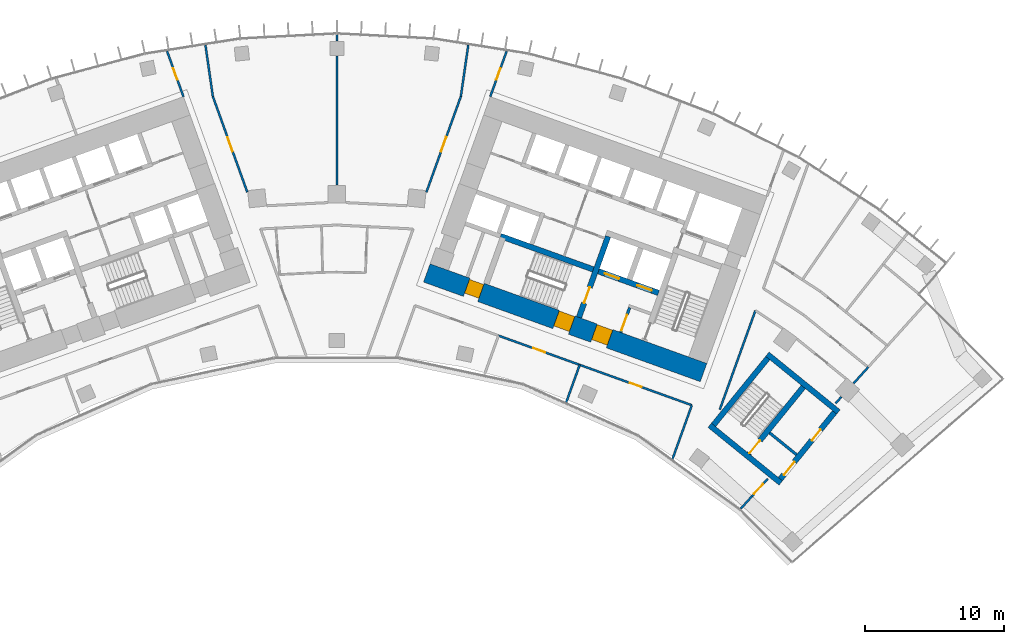
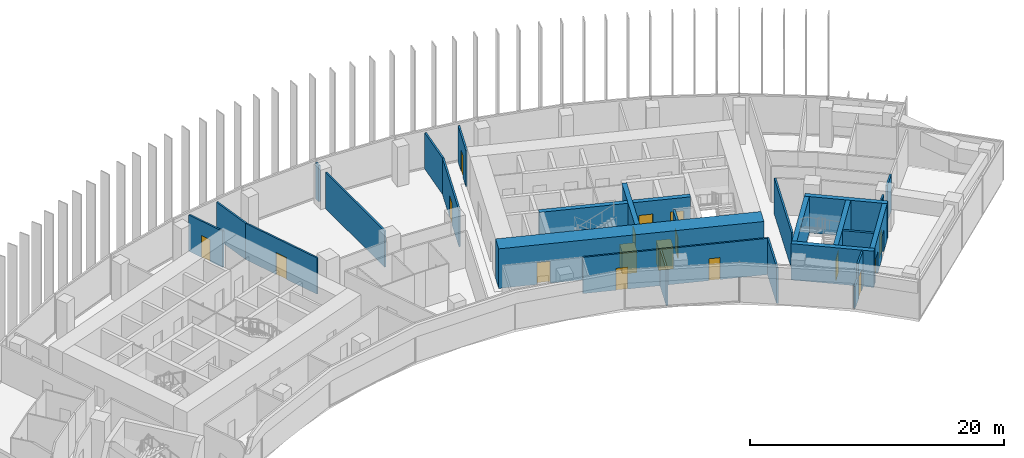
# One storey, part 18 of 23: 27 walls, 17 doors, 17 openings.
"""IFC4 building model written with IfcOpenShell, lengths in metres."""

from ifc_helpers import new_model, si_unit, direction, frame, frame_2d, origin, place, context, subcontext, project, spatial, rectangle, extrude, material, layer, layer_set, type_object, element, fill, save


model = new_model("IFC4")

# Units and contexts
model_context = context("Model", 3, precision=1e-05, world=origin(), true_north=direction((0.0, 1.0)))
body_context = subcontext(model_context, "Body", "Model", "MODEL_VIEW")
ifc_project = project(units=[si_unit("LENGTHUNIT", "METRE"), si_unit("AREAUNIT", "SQUARE_METRE"), si_unit("VOLUMEUNIT", "CUBIC_METRE"), si_unit("PLANEANGLEUNIT", "RADIAN"), si_unit("MASSUNIT", "GRAM", prefix="KILO")], contexts=[model_context])

# Site, building, storey
site_placement = place(None, origin())
site = spatial("IfcSite", under=ifc_project, at=site_placement, CompositionType="ELEMENT")
building_placement = place(site_placement, origin())
building = spatial("IfcBuilding", under=site, at=building_placement, Name="Stone Belt Terrace Tower", CompositionType="ELEMENT")
storey_placement = place(building_placement, frame((0.0, 0.0, 178.199951171875)))
storey = spatial("IfcBuildingStorey", under=building, at=storey_placement, Name="L43", CompositionType="ELEMENT", Elevation=178.199951171875)

# Wall, openings, doors
ifc_material_1 = material(Name="Concrete B80", Category="concrete")
ifc_layer_1 = layer(ifc_material_1, 1.39990234375)
ifc_layer_set_1 = layer_set([ifc_layer_1], Name="Core wall 1400 B80")
wall_type_1 = type_object("IfcWallType", Name="Core wall 1400 B80", PredefinedType="SHEAR", material=ifc_layer_set_1)
wall_1_placement = place(storey_placement, frame((6.4833984375, 49.318115234375, 0.0), z_axis=(0.0, 0.0, 1.0), x_axis=(0.940923374003, -0.33861955681, 0.0)))
wall_1 = element("IfcWall", 1, at=wall_1_placement, inside=storey, type_object=wall_type_1, Name="Core B wall concave L43", PredefinedType="SHEAR", context=body_context, shape_type="SweptSolid", body=[
    extrude(rectangle(XDim=21.199951171875, YDim=1.39990234375, at=frame_2d((10.60009765625, 0.0))), origin(), (0.0, 0.0, 1.0), 3.800048828125),
])
opening_1_placement = place(wall_1_placement, frame((12.800048828125, 0.0, 0.0)))
opening_1 = element("IfcOpeningElement", 2, at=opening_1_placement, cuts=wall_1, Name="Opening L43-C24", PredefinedType="OPENING", context=body_context, shape_type="SweptSolid", body=[
    extrude(rectangle(XDim=1.199951171875, YDim=2.10009765625, at=frame_2d((0.60009765625, 1.050048828125))), frame((0.0, 0.7099609375, 0.0), z_axis=(0.0, -1.0, 0.0), x_axis=(1.0, 0.0, 0.0)), (0.0, 0.0, 1.0), 1.419921875),
])
opening_2_placement = place(wall_1_placement, frame((9.89990234375, 0.0, 0.0)))
opening_2 = element("IfcOpeningElement", 3, at=opening_2_placement, cuts=wall_1, Name="Opening L43-C26", PredefinedType="OPENING", context=body_context, shape_type="SweptSolid", body=[
    extrude(rectangle(XDim=1.199951171875, YDim=2.10009765625, at=frame_2d((0.60009765625, 1.050048828125))), frame((0.0, 0.7099609375, 0.0), z_axis=(0.0, -1.0, 0.0), x_axis=(1.0, 0.0, 0.0)), (0.0, 0.0, 1.0), 1.419921875),
])
opening_3_placement = place(wall_1_placement, frame((3.050048828125, 0.0, 0.0)))
opening_3 = element("IfcOpeningElement", 4, at=opening_3_placement, cuts=wall_1, Name="Opening L43-C28", PredefinedType="OPENING", context=body_context, shape_type="SweptSolid", body=[
    extrude(rectangle(XDim=1.10009765625, YDim=2.10009765625, at=frame_2d((0.550048828125, 1.050048828125))), frame((0.0, 0.7099609375, 0.0), z_axis=(0.0, -1.0, 0.0), x_axis=(1.0, 0.0, 0.0)), (0.0, 0.0, 1.0), 1.419921875),
])
ifc_material_2 = material(Name="Timber door leaf", Category="wood")
door_type_1 = type_object("IfcDoorType", Name="Core room door 1100", OperationType="SINGLE_SWING_LEFT", PredefinedType="DOOR", material=ifc_material_2)
door_1_placement = place(opening_3_placement, origin())
door_1 = element("IfcDoor", 5, at=door_1_placement, inside=storey, type_object=door_type_1, Name="Door to Communications riser room core B", OperationType="SINGLE_SWING_LEFT", OverallHeight=2.10009765625, OverallWidth=1.10009765625, PredefinedType="DOOR", context=body_context, shape_type="SweptSolid", body=[
    extrude(rectangle(XDim=1.10009765625, YDim=2.10009765625, at=frame_2d((0.550048828125, 1.050048828125))), frame((0.0, 0.60498046875, 0.0), z_axis=(0.0, -1.0, 0.0), x_axis=(1.0, 0.0, 0.0)), (0.0, 0.0, 1.0), 1.050048828125),
])
fill(opening_3, door_1)
ifc_material_3 = material(Name="Steel door leaf", Category="steel")
door_type_2 = type_object("IfcDoorType", Name="Fire-fighting lobby door 1200", OperationType="SINGLE_SWING_LEFT", PredefinedType="DOOR", material=ifc_material_3)
door_2_placement = place(opening_1_placement, origin())
door_2 = element("IfcDoor", 6, at=door_2_placement, inside=storey, type_object=door_type_2, Name="Fire-fighting lobby door core B", OperationType="SINGLE_SWING_LEFT", OverallHeight=2.10009765625, OverallWidth=1.199951171875, PredefinedType="DOOR", context=body_context, shape_type="SweptSolid", body=[
    extrude(rectangle(XDim=1.199951171875, YDim=2.10009765625, at=frame_2d((0.60009765625, 1.050048828125))), frame((0.0, 0.655029296875, 0.0), z_axis=(0.0, -1.0, 0.0), x_axis=(1.0, 0.0, 0.0)), (0.0, 0.0, 1.0), 1.14990234375),
])
fill(opening_1, door_2)
door_type_3 = type_object("IfcDoorType", Name="Stair door 1200", OperationType="SINGLE_SWING_LEFT", PredefinedType="DOOR", material=ifc_material_3)
door_3_placement = place(opening_2_placement, origin())
door_3 = element("IfcDoor", 7, at=door_3_placement, inside=storey, type_object=door_type_3, Name="Stair 2 exit door core B", OperationType="SINGLE_SWING_RIGHT", OverallHeight=2.10009765625, OverallWidth=1.199951171875, PredefinedType="DOOR", context=body_context, shape_type="SweptSolid", body=[
    extrude(rectangle(XDim=1.199951171875, YDim=2.10009765625, at=frame_2d((0.60009765625, 1.050048828125))), frame((0.0, 0.655029296875, 0.0), z_axis=(0.0, -1.0, 0.0), x_axis=(1.0, 0.0, 0.0)), (0.0, 0.0, 1.0), 1.14990234375),
])
fill(opening_2, door_3)

# Wall, opening, door
ifc_material_4 = material(Name="Gypsum board partition")
ifc_layer_2 = layer(ifc_material_4, 0.14990234375)
ifc_layer_set_2 = layer_set([ifc_layer_2], Name="PARTITION 150 EI 60")
wall_type_2 = type_object("IfcWallType", Name="PARTITION 150 EI 60", PredefinedType="PARTITIONING", material=ifc_layer_set_2)
wall_2_placement = place(storey_placement, frame((-11.054931640625, 62.02099609375, 0.0), z_axis=(0.0, 0.0, 1.0), x_axis=(-0.338942963923, 0.940806923448, 0.0)))
wall_2 = element("IfcWall", 8, at=wall_2_placement, inside=storey, type_object=wall_type_2, Name="L43/wall/i007", PredefinedType="PARTITIONING", context=body_context, shape_type="SweptSolid", body=[
    extrude(rectangle(XDim=3.481201171875, YDim=0.14990234375, at=frame_2d((1.74072265625, 0.0))), origin(), (0.0, 0.0, 1.0), 3.47998046875),
])
opening_4_placement = place(wall_2_placement, frame((1.29052734375, 0.0, 0.0)))
opening_4 = element("IfcOpeningElement", 9, at=opening_4_placement, cuts=wall_2, Name="Opening D-C4-05", PredefinedType="OPENING", context=body_context, shape_type="SweptSolid", body=[
    extrude(rectangle(XDim=0.89990234375, YDim=2.10009765625, at=frame_2d((0.449951171875, 1.050048828125))), frame((0.0, 0.0849609375, 0.0), z_axis=(0.0, -1.0, 0.0), x_axis=(1.0, 0.0, 0.0)), (0.0, 0.0, 1.0), 0.169921875),
])
door_type_4 = type_object("IfcDoorType", Name="OFFICE DOOR 900 X 2100", OperationType="NOTDEFINED", PredefinedType="DOOR", material=ifc_material_2)
door_4_placement = place(opening_4_placement, origin())
door_4 = element("IfcDoor", 10, at=door_4_placement, inside=storey, type_object=door_type_4, Name="L43/door/i05", OperationType="SINGLE_SWING_RIGHT", OverallHeight=2.10009765625, OverallWidth=0.89990234375, PredefinedType="DOOR", context=body_context, shape_type="SweptSolid", body=[
    extrude(rectangle(XDim=0.89990234375, YDim=2.10009765625, at=frame_2d((0.449951171875, 1.050048828125))), frame((0.0, 0.02490234375, 0.0), z_axis=(0.0, -1.0, 0.0), x_axis=(1.0, 0.0, 0.0)), (0.0, 0.0, 1.0), 0.050048828125),
])
fill(opening_4, door_4)

# Wall
wall_3_placement = place(storey_placement, frame((-9.47021484375, 65.736083984375, 0.0), z_axis=(0.0, 0.0, 1.0), x_axis=(0.14267653425, -0.989769370396, 0.0)))
element("IfcWall", 11, at=wall_3_placement, inside=storey, type_object=wall_type_2, Name="L43/wall/i009", PredefinedType="PARTITIONING", context=body_context, shape_type="SweptSolid", body=[
    extrude(rectangle(XDim=3.730224609375, YDim=0.14990234375, at=frame_2d((1.865234375, 0.0))), origin(), (0.0, 0.0, 1.0), 3.47998046875),
])

# Wall, opening, door
wall_4_placement = place(storey_placement, frame((-8.93798828125, 62.04296875, 0.0), z_axis=(0.0, 0.0, 1.0), x_axis=(0.338603971116, -0.940928982838, 0.0)))
wall_4 = element("IfcWall", 12, at=wall_4_placement, inside=storey, type_object=wall_type_2, Name="L43/wall/i010", PredefinedType="PARTITIONING", context=body_context, shape_type="SweptSolid", body=[
    extrude(rectangle(XDim=7.335693359375, YDim=0.14990234375, at=frame_2d((3.66796875, 0.0))), origin(), (0.0, 0.0, 1.0), 3.47998046875),
])
opening_5_placement = place(wall_4_placement, frame((3.117919921875, 0.0, 0.0)))
opening_5 = element("IfcOpeningElement", 13, at=opening_5_placement, cuts=wall_4, Name="Opening D-C4-27", PredefinedType="OPENING", context=body_context, shape_type="SweptSolid", body=[
    extrude(rectangle(XDim=1.10009765625, YDim=2.10009765625, at=frame_2d((0.550048828125, 1.050048828125))), frame((0.0, 0.0849609375, 0.0), z_axis=(0.0, -1.0, 0.0), x_axis=(1.0, 0.0, 0.0)), (0.0, 0.0, 1.0), 0.169921875),
])
ifc_material_5 = material(Name="Steel fire door set", Category="steel")
door_type_5 = type_object("IfcDoorType", Name="SERVICE ROOM DOOR 1100 X 2100", OperationType="NOTDEFINED", PredefinedType="DOOR", material=ifc_material_5)
door_5_placement = place(opening_5_placement, origin())
door_5 = element("IfcDoor", 14, at=door_5_placement, inside=storey, type_object=door_type_5, Name="L43/door/i27", OperationType="SINGLE_SWING_RIGHT", OverallHeight=2.10009765625, OverallWidth=1.10009765625, PredefinedType="DOOR", context=body_context, shape_type="SweptSolid", body=[
    extrude(rectangle(XDim=1.10009765625, YDim=2.10009765625, at=frame_2d((0.550048828125, 1.050048828125))), frame((0.0, 0.02490234375, 0.0), z_axis=(0.0, -1.0, 0.0), x_axis=(1.0, 0.0, 0.0)), (0.0, 0.0, 1.0), 0.050048828125),
])
fill(opening_5, door_5)

wall_5_placement = place(storey_placement, frame((12.23486328125, 65.296142578125, 0.0), z_axis=(0.0, 0.0, 1.0), x_axis=(-0.338942963923, -0.940806923448, 0.0)))
wall_5 = element("IfcWall", 15, at=wall_5_placement, inside=storey, type_object=wall_type_2, Name="L43/wall/i019", PredefinedType="PARTITIONING", context=body_context, shape_type="SweptSolid", body=[
    extrude(rectangle(XDim=3.481201171875, YDim=0.14990234375, at=frame_2d((1.74072265625, 0.0))), origin(), (0.0, 0.0, 1.0), 3.47998046875),
])
opening_6_placement = place(wall_5_placement, frame((1.29052734375, 0.0, 0.0)))
opening_6 = element("IfcOpeningElement", 16, at=opening_6_placement, cuts=wall_5, Name="Opening D-C4-09", PredefinedType="OPENING", context=body_context, shape_type="SweptSolid", body=[
    extrude(rectangle(XDim=0.89990234375, YDim=2.10009765625, at=frame_2d((0.449951171875, 1.050048828125))), frame((0.0, 0.0849609375, 0.0), z_axis=(0.0, -1.0, 0.0), x_axis=(1.0, 0.0, 0.0)), (0.0, 0.0, 1.0), 0.169921875),
])
door_6_placement = place(opening_6_placement, origin())
door_6 = element("IfcDoor", 17, at=door_6_placement, inside=storey, type_object=door_type_4, Name="L43/door/i09", OperationType="SINGLE_SWING_RIGHT", OverallHeight=2.10009765625, OverallWidth=0.89990234375, PredefinedType="DOOR", context=body_context, shape_type="SweptSolid", body=[
    extrude(rectangle(XDim=0.89990234375, YDim=2.10009765625, at=frame_2d((0.449951171875, 1.050048828125))), frame((0.0, 0.02490234375, 0.0), z_axis=(0.0, -1.0, 0.0), x_axis=(1.0, 0.0, 0.0)), (0.0, 0.0, 1.0), 0.050048828125),
])
fill(opening_6, door_6)

wall_6_placement = place(storey_placement, frame((6.4541015625, 55.140625, 0.0), z_axis=(0.0, 0.0, 1.0), x_axis=(0.338603971116, 0.940928982838, 0.0)))
wall_6 = element("IfcWall", 18, at=wall_6_placement, inside=storey, type_object=wall_type_2, Name="L43/wall/i021", PredefinedType="PARTITIONING", context=body_context, shape_type="SweptSolid", body=[
    extrude(rectangle(XDim=7.335693359375, YDim=0.14990234375, at=frame_2d((3.66796875, 0.0))), origin(), (0.0, 0.0, 1.0), 3.47998046875),
])
opening_7_placement = place(wall_6_placement, frame((3.117919921875, 0.0, 0.0)))
opening_7 = element("IfcOpeningElement", 19, at=opening_7_placement, cuts=wall_6, Name="Opening D-C4-28", PredefinedType="OPENING", context=body_context, shape_type="SweptSolid", body=[
    extrude(rectangle(XDim=1.10009765625, YDim=2.10009765625, at=frame_2d((0.550048828125, 1.050048828125))), frame((0.0, 0.0849609375, 0.0), z_axis=(0.0, -1.0, 0.0), x_axis=(1.0, 0.0, 0.0)), (0.0, 0.0, 1.0), 0.169921875),
])
door_7_placement = place(opening_7_placement, origin())
door_7 = element("IfcDoor", 20, at=door_7_placement, inside=storey, type_object=door_type_5, Name="L43/door/i28", OperationType="SINGLE_SWING_RIGHT", OverallHeight=2.10009765625, OverallWidth=1.10009765625, PredefinedType="DOOR", context=body_context, shape_type="SweptSolid", body=[
    extrude(rectangle(XDim=1.10009765625, YDim=2.10009765625, at=frame_2d((0.550048828125, 1.050048828125))), frame((0.0, 0.02490234375, 0.0), z_axis=(0.0, -1.0, 0.0), x_axis=(1.0, 0.0, 0.0)), (0.0, 0.0, 1.0), 0.050048828125),
])
fill(opening_7, door_7)

# Walls
wall_7_placement = place(storey_placement, frame((8.93798828125, 62.0439453125, 0.0), z_axis=(0.0, 0.0, 1.0), x_axis=(0.14267653425, 0.989769370396, 0.0)))
element("IfcWall", 21, at=wall_7_placement, inside=storey, type_object=wall_type_2, Name="L43/wall/i022", PredefinedType="PARTITIONING", context=body_context, shape_type="SweptSolid", body=[
    extrude(rectangle(XDim=3.730224609375, YDim=0.14990234375, at=frame_2d((1.865234375, 0.0))), origin(), (0.0, 0.0, 1.0), 3.47998046875),
])
wall_8_placement = place(storey_placement, frame((24.18603515625, 35.902099609375, 0.0), z_axis=(0.0, 0.0, 1.0), x_axis=(0.338545933013, 0.940949866486, 0.0)))
element("IfcWall", 22, at=wall_8_placement, inside=storey, type_object=wall_type_2, Name="L43/wall/i023", PredefinedType="PARTITIONING", context=body_context, shape_type="SweptSolid", body=[
    extrude(rectangle(XDim=4.135009765625, YDim=0.14990234375, at=frame_2d((2.0673828125, 0.0))), origin(), (0.0, 0.0, 1.0), 3.47998046875),
])

# Wall, opening, door
wall_9_placement = place(storey_placement, frame((31.054931640625, 34.489990234375, 0.0), z_axis=(0.0, 0.0, 1.0), x_axis=(-0.669115931318, -0.743158038681, 0.0)))
wall_9 = element("IfcWall", 23, at=wall_9_placement, inside=storey, type_object=wall_type_2, Name="L43/wall/i025-1", PredefinedType="PARTITIONING", context=body_context, shape_type="SweptSolid", body=[
    extrude(rectangle(XDim=1.69482421875, YDim=0.14990234375, at=frame_2d((0.847412109375, 0.0))), origin(), (0.0, 0.0, 1.0), 3.47998046875),
])
opening_8_placement = place(wall_9_placement, frame((0.49658203125, 0.0, 0.0)))
opening_8 = element("IfcOpeningElement", 24, at=opening_8_placement, cuts=wall_9, Name="Opening D-C4-18", PredefinedType="OPENING", context=body_context, shape_type="SweptSolid", body=[
    extrude(rectangle(XDim=1.0, YDim=2.10009765625, at=frame_2d((0.5, 1.050048828125))), frame((0.0, 0.0849609375, 0.0), z_axis=(0.0, -1.0, 0.0), x_axis=(1.0, 0.0, 0.0)), (0.0, 0.0, 1.0), 0.169921875),
])
ifc_material_6 = material(Name="Timber fire door leaf", Category="wood")
door_type_6 = type_object("IfcDoorType", Name="TENANCY ENTRANCE DOOR 1000 X 2100", OperationType="NOTDEFINED", PredefinedType="DOOR", material=ifc_material_6)
door_8_placement = place(opening_8_placement, origin())
door_8 = element("IfcDoor", 25, at=door_8_placement, inside=storey, type_object=door_type_6, Name="L43/door/i18", OperationType="SINGLE_SWING_LEFT", OverallHeight=2.10009765625, OverallWidth=1.0, PredefinedType="DOOR", context=body_context, shape_type="SweptSolid", body=[
    extrude(rectangle(XDim=1.0, YDim=2.10009765625, at=frame_2d((0.5, 1.050048828125))), frame((0.0, 0.02490234375, 0.0), z_axis=(0.0, -1.0, 0.0), x_axis=(1.0, 0.0, 0.0)), (0.0, 0.0, 1.0), 0.050048828125),
])
fill(opening_8, door_8)

# Walls
wall_10_placement = place(storey_placement, frame((29.9208984375, 33.23046875, 0.0), z_axis=(0.0, 0.0, 1.0), x_axis=(-0.669097814436, -0.743174350147, 0.0)))
element("IfcWall", 26, at=wall_10_placement, inside=storey, type_object=wall_type_2, Name="L43/wall/i025-2", PredefinedType="PARTITIONING", context=body_context, shape_type="SweptSolid", body=[
    extrude(rectangle(XDim=1.216064453125, YDim=0.14990234375, at=frame_2d((0.60791015625, 0.0))), origin(), (0.0, 0.0, 1.0), 2.080078125),
])
wall_11_placement = place(storey_placement, frame((30.1669921875, 46.612060546875, 0.0), z_axis=(0.0, 0.0, 1.0), x_axis=(-0.338694393991, -0.940896438233, 0.0)))
element("IfcWall", 27, at=wall_11_placement, inside=storey, type_object=wall_type_2, Name="L43/wall/i026", PredefinedType="PARTITIONING", context=body_context, shape_type="SweptSolid", body=[
    extrude(rectangle(XDim=7.585205078125, YDim=0.14990234375, at=frame_2d((3.79248046875, 0.0))), origin(), (0.0, 0.0, 1.0), 3.47998046875),
])

# Wall, opening, door
wall_12_placement = place(storey_placement, frame((17.509033203125, 42.693115234375, 0.0), z_axis=(0.0, 0.0, 1.0), x_axis=(-0.940933831064, 0.33859049833, 0.0)))
wall_12 = element("IfcWall", 28, at=wall_12_placement, inside=storey, type_object=wall_type_2, Name="L43/wall/i030", PredefinedType="PARTITIONING", context=body_context, shape_type="SweptSolid", body=[
    extrude(rectangle(XDim=6.234130859375, YDim=0.14990234375, at=frame_2d((3.1171875, 0.0))), origin(), (0.0, 0.0, 1.0), 3.47998046875),
])
opening_9_placement = place(wall_12_placement, frame((2.667236328125, 0.0, 0.0)))
opening_9 = element("IfcOpeningElement", 29, at=opening_9_placement, cuts=wall_12, Name="Opening D-C4-07", PredefinedType="OPENING", context=body_context, shape_type="SweptSolid", body=[
    extrude(rectangle(XDim=0.89990234375, YDim=2.10009765625, at=frame_2d((0.449951171875, 1.050048828125))), frame((0.0, 0.0849609375, 0.0), z_axis=(0.0, -1.0, 0.0), x_axis=(1.0, 0.0, 0.0)), (0.0, 0.0, 1.0), 0.169921875),
])
door_9_placement = place(opening_9_placement, origin())
door_9 = element("IfcDoor", 30, at=door_9_placement, inside=storey, type_object=door_type_4, Name="L43/door/i07", OperationType="SINGLE_SWING_RIGHT", OverallHeight=2.10009765625, OverallWidth=0.89990234375, PredefinedType="DOOR", context=body_context, shape_type="SweptSolid", body=[
    extrude(rectangle(XDim=0.89990234375, YDim=2.10009765625, at=frame_2d((0.449951171875, 1.050048828125))), frame((0.0, 0.02490234375, 0.0), z_axis=(0.0, -1.0, 0.0), x_axis=(1.0, 0.0, 0.0)), (0.0, 0.0, 1.0), 0.050048828125),
])
fill(opening_9, door_9)

wall_13_placement = place(storey_placement, frame((25.583984375, 39.787109375, 0.0), z_axis=(0.0, 0.0, 1.0), x_axis=(-0.940938460539, 0.338577632869, 0.0)))
wall_13 = element("IfcWall", 31, at=wall_13_placement, inside=storey, type_object=wall_type_2, Name="L43/wall/i031", PredefinedType="PARTITIONING", context=body_context, shape_type="SweptSolid", body=[
    extrude(rectangle(XDim=8.594482421875, YDim=0.14990234375, at=frame_2d((4.29736328125, 0.0))), origin(), (0.0, 0.0, 1.0), 3.47998046875),
])
opening_10_placement = place(wall_13_placement, frame((3.847412109375, 0.0, 0.0)))
opening_10 = element("IfcOpeningElement", 32, at=opening_10_placement, cuts=wall_13, Name="Opening D-C4-08", PredefinedType="OPENING", context=body_context, shape_type="SweptSolid", body=[
    extrude(rectangle(XDim=0.89990234375, YDim=2.10009765625, at=frame_2d((0.449951171875, 1.050048828125))), frame((0.0, 0.0849609375, 0.0), z_axis=(0.0, -1.0, 0.0), x_axis=(1.0, 0.0, 0.0)), (0.0, 0.0, 1.0), 0.169921875),
])
door_10_placement = place(opening_10_placement, origin())
door_10 = element("IfcDoor", 33, at=door_10_placement, inside=storey, type_object=door_type_4, Name="L43/door/i08", OperationType="SINGLE_SWING_LEFT", OverallHeight=2.10009765625, OverallWidth=0.89990234375, PredefinedType="DOOR", context=body_context, shape_type="SweptSolid", body=[
    extrude(rectangle(XDim=0.89990234375, YDim=2.10009765625, at=frame_2d((0.449951171875, 1.050048828125))), frame((0.0, 0.02490234375, 0.0), z_axis=(0.0, -1.0, 0.0), x_axis=(1.0, 0.0, 0.0)), (0.0, 0.0, 1.0), 0.050048828125),
])
fill(opening_10, door_10)

# Walls
wall_14_placement = place(storey_placement, frame((17.5029296875, 42.695068359375, 0.0), z_axis=(0.0, 0.0, 1.0), x_axis=(-0.338680295098, -0.940901513291, 0.0)))
element("IfcWall", 34, at=wall_14_placement, inside=storey, type_object=wall_type_2, Name="L43/wall/i033", PredefinedType="PARTITIONING", context=body_context, shape_type="SweptSolid", body=[
    extrude(rectangle(XDim=2.868896484375, YDim=0.14990234375, at=frame_2d((1.4345703125, 0.0))), origin(), (0.0, 0.0, 1.0), 3.47998046875),
])
wall_15_placement = place(storey_placement, frame((37.240966796875, 41.359375, 0.0), z_axis=(0.0, 0.0, 1.0), x_axis=(0.669093166642, 0.743178534642, 0.0)))
element("IfcWall", 35, at=wall_15_placement, inside=storey, type_object=wall_type_2, Name="L43/wall/i057", PredefinedType="PARTITIONING", context=body_context, shape_type="SweptSolid", body=[
    extrude(rectangle(XDim=1.5751953125, YDim=0.14990234375, at=frame_2d((0.78759765625, 0.0))), origin(), (0.0, 0.0, 1.0), 3.47998046875),
])
wall_16_placement = place(storey_placement, frame((35.946044921875, 39.922119140625, 0.0), z_axis=(0.0, 0.0, 1.0), x_axis=(0.669396665823, 0.742905178192, 0.0)))
element("IfcWall", 36, at=wall_16_placement, inside=storey, type_object=wall_type_2, Name="L43/wall/i058", PredefinedType="PARTITIONING", context=body_context, shape_type="SweptSolid", body=[
    extrude(rectangle(XDim=0.62451171875, YDim=0.14990234375, at=frame_2d((0.312255859375, 0.0))), origin(), (0.0, 0.0, 1.0), 3.47998046875),
])
wall_17_placement = place(storey_placement, frame((0.0, 66.5, 0.0), z_axis=(0.0, 0.0, 1.0), x_axis=(0.0, -1.0, 0.0)))
element("IfcWall", 37, at=wall_17_placement, inside=storey, type_object=wall_type_2, Name="L43/wall/i086", PredefinedType="PARTITIONING", context=body_context, shape_type="SweptSolid", body=[
    extrude(rectangle(XDim=0.481201171875, YDim=0.14990234375, at=frame_2d((0.24072265625, 0.0))), origin(), (0.0, 0.0, 1.0), 3.47998046875),
])
wall_18_placement = place(storey_placement, frame((0.0, 64.958984375, 0.0), z_axis=(0.0, 0.0, 1.0), x_axis=(0.0, -1.0, 0.0)))
element("IfcWall", 38, at=wall_18_placement, inside=storey, type_object=wall_type_2, Name="L43/wall/i087", PredefinedType="PARTITIONING", context=body_context, shape_type="SweptSolid", body=[
    extrude(rectangle(XDim=9.303955078125, YDim=0.14990234375, at=frame_2d((4.65185546875, 0.0))), origin(), (0.0, 0.0, 1.0), 3.47998046875),
])

# Wall, opening, door
ifc_material_7 = material(Name="Concrete masonry block", Category="masonry")
ifc_layer_3 = layer(ifc_material_7, 0.199951171875)
ifc_layer_set_3 = layer_set([ifc_layer_3], Name="Rated lobby wall 200")
wall_type_3 = type_object("IfcWallType", Name="Rated lobby wall 200", PredefinedType="PARTITIONING", material=ifc_layer_set_3)
wall_19_placement = place(storey_placement, frame((20.4580078125, 45.032958984375, 0.0), z_axis=(0.0, 0.0, 1.0), x_axis=(0.338573865316, 0.940939816208, 0.0)))
wall_19 = element("IfcWall", 39, at=wall_19_placement, inside=storey, type_object=wall_type_3, Name="Core B wall", PredefinedType="PARTITIONING", context=body_context, shape_type="SweptSolid", body=[
    extrude(rectangle(XDim=1.900146484375, YDim=0.199951171875, at=frame_2d((0.9501953125, 0.0))), origin(), (0.0, 0.0, 1.0), 3.47998046875),
])
opening_11_placement = place(wall_19_placement, frame((0.14990234375, 0.0, 0.0)))
opening_11 = element("IfcOpeningElement", 40, at=opening_11_placement, cuts=wall_19, Name="Opening L43-C23", PredefinedType="OPENING", context=body_context, shape_type="SweptSolid", body=[
    extrude(rectangle(XDim=1.199951171875, YDim=2.10009765625, at=frame_2d((0.60009765625, 1.050048828125))), frame((0.0, 0.10986328125, 0.0), z_axis=(0.0, -1.0, 0.0), x_axis=(1.0, 0.0, 0.0)), (0.0, 0.0, 1.0), 0.219970703125),
])
door_11_placement = place(opening_11_placement, origin())
door_11 = element("IfcDoor", 41, at=door_11_placement, inside=storey, type_object=door_type_3, Name="Stair airlock door core B", OperationType="SINGLE_SWING_LEFT", OverallHeight=2.10009765625, OverallWidth=1.199951171875, PredefinedType="DOOR", context=body_context, shape_type="SweptSolid", body=[
    extrude(rectangle(XDim=1.199951171875, YDim=2.10009765625, at=frame_2d((0.60009765625, 1.050048828125))), frame((0.0, 0.02490234375, 0.0), z_axis=(0.0, -1.0, 0.0), x_axis=(1.0, 0.0, 0.0)), (0.0, 0.0, 1.0), 0.050048828125),
])
fill(opening_11, door_11)

# Wall
wall_20_placement = place(storey_placement, frame((31.190673828125, 37.79296875, 0.0), z_axis=(0.0, 0.0, 1.0), x_axis=(0.776370830301, -0.630276394813, 0.0)))
element("IfcWall", 42, at=wall_20_placement, inside=storey, type_object=wall_type_3, Name="Exit stair ST3B wall", PredefinedType="PARTITIONING", context=body_context, shape_type="SweptSolid", body=[
    extrude(rectangle(XDim=2.5, YDim=0.199951171875, at=frame_2d((1.25, 0.0))), origin(), (0.0, 0.0, 1.0), 3.47998046875),
])

# Wall, openings, doors
ifc_layer_4 = layer(ifc_material_1, 0.39990234375)
ifc_layer_set_4 = layer_set([ifc_layer_4], Name="Stair enclosure wall 400")
wall_type_4 = type_object("IfcWallType", Name="Stair enclosure wall 400", PredefinedType="SHEAR", material=ifc_layer_set_4)
wall_21_placement = place(storey_placement, frame((23.182373046875, 47.87841796875, 0.0), z_axis=(0.0, 0.0, 1.0), x_axis=(-0.940921101762, 0.338625870628, 0.0)))
wall_21 = element("IfcWall", 43, at=wall_21_placement, inside=storey, type_object=wall_type_4, Name="Core B wall", PredefinedType="SHEAR", context=body_context, shape_type="SweptSolid", body=[
    extrude(rectangle(XDim=12.10009765625, YDim=0.39990234375, at=frame_2d((6.050048828125, 0.0))), origin(), (0.0, 0.0, 1.0), 3.47998046875),
])
opening_12_placement = place(wall_21_placement, frame((0.52001953125, 0.0, 0.0)))
opening_12 = element("IfcOpeningElement", 44, at=opening_12_placement, cuts=wall_21, Name="Opening L43-LD14", PredefinedType="OPENING", context=body_context, shape_type="SweptSolid", body=[
    extrude(rectangle(XDim=1.10009765625, YDim=2.199951171875, at=frame_2d((0.550048828125, 1.10009765625))), frame((0.0, 0.2099609375, 0.0), z_axis=(0.0, -1.0, 0.0), x_axis=(1.0, 0.0, 0.0)), (0.0, 0.0, 1.0), 0.419921875),
])
opening_13_placement = place(wall_21_placement, frame((3.02001953125, 0.0, 0.0)))
opening_13 = element("IfcOpeningElement", 45, at=opening_13_placement, cuts=wall_21, Name="Opening L43-LD15", PredefinedType="OPENING", context=body_context, shape_type="SweptSolid", body=[
    extrude(rectangle(XDim=1.10009765625, YDim=2.199951171875, at=frame_2d((0.550048828125, 1.10009765625))), frame((0.0, 0.2099609375, 0.0), z_axis=(0.0, -1.0, 0.0), x_axis=(1.0, 0.0, 0.0)), (0.0, 0.0, 1.0), 0.419921875),
])
ifc_material_8 = material(Name="Stainless steel door leaf", Category="steel")
door_type_7 = type_object("IfcDoorType", Name="Landing door 1100", OperationType="SLIDING_TO_LEFT", PredefinedType="DOOR", material=ifc_material_8)
door_12_placement = place(opening_12_placement, origin())
door_12 = element("IfcDoor", 46, at=door_12_placement, inside=storey, type_object=door_type_7, Name="Landing door FF1 core B", OperationType="SLIDING_TO_LEFT", OverallHeight=2.199951171875, OverallWidth=1.10009765625, PredefinedType="DOOR", context=body_context, shape_type="SweptSolid", body=[
    extrude(rectangle(XDim=1.10009765625, YDim=2.199951171875, at=frame_2d((0.550048828125, 1.10009765625))), frame((0.0, 0.02490234375, 0.0), z_axis=(0.0, -1.0, 0.0), x_axis=(1.0, 0.0, 0.0)), (0.0, 0.0, 1.0), 0.050048828125),
])
fill(opening_12, door_12)
door_13_placement = place(opening_13_placement, origin())
door_13 = element("IfcDoor", 47, at=door_13_placement, inside=storey, type_object=door_type_7, Name="Landing door FF2 core B", OperationType="SLIDING_TO_LEFT", OverallHeight=2.199951171875, OverallWidth=1.10009765625, PredefinedType="DOOR", context=body_context, shape_type="SweptSolid", body=[
    extrude(rectangle(XDim=1.10009765625, YDim=2.199951171875, at=frame_2d((0.550048828125, 1.10009765625))), frame((0.0, 0.02490234375, 0.0), z_axis=(0.0, -1.0, 0.0), x_axis=(1.0, 0.0, 0.0)), (0.0, 0.0, 1.0), 0.050048828125),
])
fill(opening_13, door_13)

# Wall, opening, door
wall_22_placement = place(storey_placement, frame((17.447021484375, 46.116455078125, 0.0), z_axis=(0.0, 0.0, 1.0), x_axis=(0.33860791464, 0.940927563707, 0.0)))
wall_22 = element("IfcWall", 48, at=wall_22_placement, inside=storey, type_object=wall_type_4, Name="Core B wall", PredefinedType="SHEAR", context=body_context, shape_type="SweptSolid", body=[
    extrude(rectangle(XDim=6.199951171875, YDim=0.39990234375, at=frame_2d((3.10009765625, 0.0))), origin(), (0.0, 0.0, 1.0), 3.47998046875),
])
opening_14_placement = place(wall_22_placement, frame((1.10009765625, 0.0, 0.0)))
opening_14 = element("IfcOpeningElement", 49, at=opening_14_placement, cuts=wall_22, Name="Opening L43-C25", PredefinedType="OPENING", context=body_context, shape_type="SweptSolid", body=[
    extrude(rectangle(XDim=1.199951171875, YDim=2.10009765625, at=frame_2d((0.60009765625, 1.050048828125))), frame((0.0, 0.2099609375, 0.0), z_axis=(0.0, -1.0, 0.0), x_axis=(1.0, 0.0, 0.0)), (0.0, 0.0, 1.0), 0.419921875),
])
door_14_placement = place(opening_14_placement, origin())
door_14 = element("IfcDoor", 50, at=door_14_placement, inside=storey, type_object=door_type_3, Name="Stair 2 door core B", OperationType="SINGLE_SWING_LEFT", OverallHeight=2.10009765625, OverallWidth=1.199951171875, PredefinedType="DOOR", context=body_context, shape_type="SweptSolid", body=[
    extrude(rectangle(XDim=1.199951171875, YDim=2.10009765625, at=frame_2d((0.60009765625, 1.050048828125))), frame((0.0, 0.02490234375, 0.0), z_axis=(0.0, -1.0, 0.0), x_axis=(1.0, 0.0, 0.0)), (0.0, 0.0, 1.0), 0.050048828125),
])
fill(opening_14, door_14)

# Walls
wall_23_placement = place(storey_placement, frame((26.868408203125, 38.3388671875, 0.0), z_axis=(0.0, 0.0, 1.0), x_axis=(0.776428452498, -0.630205409491, 0.0)))
element("IfcWall", 51, at=wall_23_placement, inside=storey, type_object=wall_type_4, Name="Exit stair ST3B wall", PredefinedType="SHEAR", context=body_context, shape_type="SweptSolid", body=[
    extrude(rectangle(XDim=6.60009765625, YDim=0.39990234375, at=frame_2d((3.300048828125, 0.0))), origin(), (0.0, 0.0, 1.0), 3.47998046875),
])
wall_24_placement = place(storey_placement, frame((31.02783203125, 43.46337890625, 0.0), z_axis=(0.0, 0.0, 1.0), x_axis=(0.776413760801, -0.630223509589, 0.0)))
element("IfcWall", 52, at=wall_24_placement, inside=storey, type_object=wall_type_4, Name="Exit stair ST3B wall", PredefinedType="SHEAR", context=body_context, shape_type="SweptSolid", body=[
    extrude(rectangle(XDim=6.599853515625, YDim=0.39990234375, at=frame_2d((3.2998046875, 0.0))), origin(), (0.0, 0.0, 1.0), 3.47998046875),
])
wall_25_placement = place(storey_placement, frame((27.149658203125, 38.3681640625, 0.0), z_axis=(0.0, 0.0, 1.0), x_axis=(0.630211551729, 0.776423466973, 0.0)))
element("IfcWall", 53, at=wall_25_placement, inside=storey, type_object=wall_type_4, Name="Exit stair ST3B wall", PredefinedType="SHEAR", context=body_context, shape_type="SweptSolid", body=[
    extrude(rectangle(XDim=6.199951171875, YDim=0.39990234375, at=frame_2d((3.10009765625, 0.0))), origin(), (0.0, 0.0, 1.0), 3.47998046875),
])

# Wall, openings, doors
wall_26_placement = place(storey_placement, frame((31.963623046875, 34.460693359375, 0.0), z_axis=(0.0, 0.0, 1.0), x_axis=(0.630192283849, 0.776439106033, 0.0)))
wall_26 = element("IfcWall", 54, at=wall_26_placement, inside=storey, type_object=wall_type_4, Name="Exit stair ST3B wall", PredefinedType="SHEAR", context=body_context, shape_type="SweptSolid", body=[
    extrude(rectangle(XDim=6.199951171875, YDim=0.39990234375, at=frame_2d((3.10009765625, 0.0))), origin(), (0.0, 0.0, 1.0), 3.47998046875),
])
opening_15_placement = place(wall_26_placement, frame((0.39990234375, 0.0, 0.0)))
opening_15 = element("IfcOpeningElement", 55, at=opening_15_placement, cuts=wall_26, Name="Opening L43-C33", PredefinedType="OPENING", context=body_context, shape_type="SweptSolid", body=[
    extrude(rectangle(XDim=1.199951171875, YDim=2.10009765625, at=frame_2d((0.60009765625, 1.050048828125))), frame((0.0, 0.2099609375, 0.0), z_axis=(0.0, -1.0, 0.0), x_axis=(1.0, 0.0, 0.0)), (0.0, 0.0, 1.0), 0.419921875),
])
opening_16_placement = place(wall_26_placement, frame((3.60009765625, 0.0, 0.0)))
opening_16 = element("IfcOpeningElement", 56, at=opening_16_placement, cuts=wall_26, Name="Opening L43-C34", PredefinedType="OPENING", context=body_context, shape_type="SweptSolid", body=[
    extrude(rectangle(XDim=1.0, YDim=2.10009765625, at=frame_2d((0.5, 1.050048828125))), frame((0.0, 0.2099609375, 0.0), z_axis=(0.0, -1.0, 0.0), x_axis=(1.0, 0.0, 0.0)), (0.0, 0.0, 1.0), 0.419921875),
])
door_type_8 = type_object("IfcDoorType", Name="Core room door 1000", OperationType="SINGLE_SWING_LEFT", PredefinedType="DOOR", material=ifc_material_2)
door_15_placement = place(opening_16_placement, origin())
door_15 = element("IfcDoor", 57, at=door_15_placement, inside=storey, type_object=door_type_8, Name="Door to stair pressurisation plant room ST3B", OperationType="SINGLE_SWING_RIGHT", OverallHeight=2.10009765625, OverallWidth=1.0, PredefinedType="DOOR", context=body_context, shape_type="SweptSolid", body=[
    extrude(rectangle(XDim=1.0, YDim=2.10009765625, at=frame_2d((0.5, 1.050048828125))), frame((0.0, 0.02490234375, 0.0), z_axis=(0.0, -1.0, 0.0), x_axis=(1.0, 0.0, 0.0)), (0.0, 0.0, 1.0), 0.050048828125),
])
fill(opening_16, door_15)
door_type_9 = type_object("IfcDoorType", Name="Stair airlock door 1200", OperationType="SINGLE_SWING_LEFT", PredefinedType="DOOR", material=ifc_material_3)
door_16_placement = place(opening_15_placement, origin())
door_16 = element("IfcDoor", 58, at=door_16_placement, inside=storey, type_object=door_type_9, Name="Stair airlock door ST3B", OperationType="SINGLE_SWING_RIGHT", OverallHeight=2.10009765625, OverallWidth=1.199951171875, PredefinedType="DOOR", context=body_context, shape_type="SweptSolid", body=[
    extrude(rectangle(XDim=1.199951171875, YDim=2.10009765625, at=frame_2d((0.60009765625, 1.050048828125))), frame((0.0, 0.02490234375, 0.0), z_axis=(0.0, -1.0, 0.0), x_axis=(1.0, 0.0, 0.0)), (0.0, 0.0, 1.0), 0.050048828125),
])
fill(opening_15, door_16)

# Wall, opening, door
wall_27_placement = place(storey_placement, frame((29.7119140625, 36.288330078125, 0.0), z_axis=(0.0, 0.0, 1.0), x_axis=(0.630192283849, 0.776439106033, 0.0)))
wall_27 = element("IfcWall", 59, at=wall_27_placement, inside=storey, type_object=wall_type_4, Name="Exit stair ST3B wall", PredefinedType="SHEAR", context=body_context, shape_type="SweptSolid", body=[
    extrude(rectangle(XDim=6.199951171875, YDim=0.39990234375, at=frame_2d((3.10009765625, 0.0))), origin(), (0.0, 0.0, 1.0), 3.47998046875),
])
opening_17_placement = place(wall_27_placement, frame((0.050048828125, 0.0, 0.0)))
opening_17 = element("IfcOpeningElement", 60, at=opening_17_placement, cuts=wall_27, Name="Opening L43-C32", PredefinedType="OPENING", context=body_context, shape_type="SweptSolid", body=[
    extrude(rectangle(XDim=1.199951171875, YDim=2.10009765625, at=frame_2d((0.60009765625, 1.050048828125))), frame((0.0, 0.2099609375, 0.0), z_axis=(0.0, -1.0, 0.0), x_axis=(1.0, 0.0, 0.0)), (0.0, 0.0, 1.0), 0.419921875),
])
door_17_placement = place(opening_17_placement, origin())
door_17 = element("IfcDoor", 61, at=door_17_placement, inside=storey, type_object=door_type_3, Name="Stair door ST3B", OperationType="SINGLE_SWING_LEFT", OverallHeight=2.10009765625, OverallWidth=1.199951171875, PredefinedType="DOOR", context=body_context, shape_type="SweptSolid", body=[
    extrude(rectangle(XDim=1.199951171875, YDim=2.10009765625, at=frame_2d((0.60009765625, 1.050048828125))), frame((0.0, 0.02490234375, 0.0), z_axis=(0.0, -1.0, 0.0), x_axis=(1.0, 0.0, 0.0)), (0.0, 0.0, 1.0), 0.050048828125),
])
fill(opening_17, door_17)

save(model, "model.ifc")
